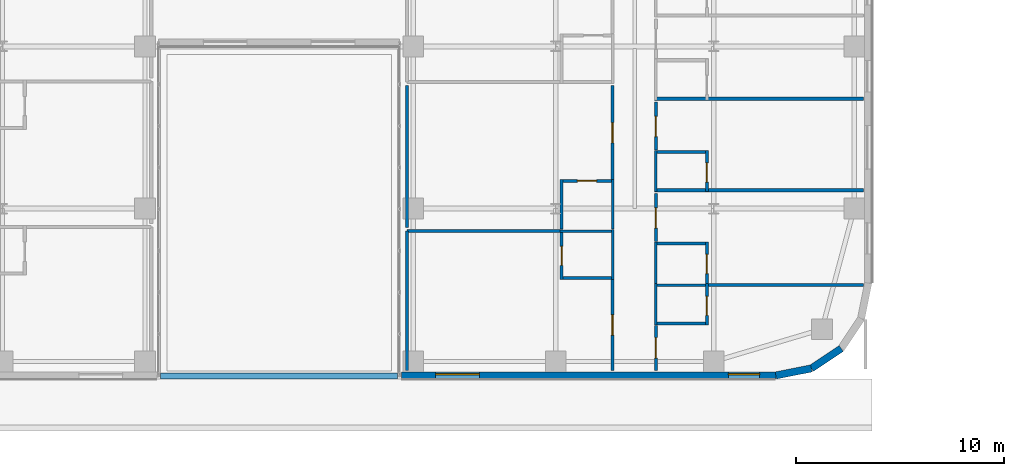
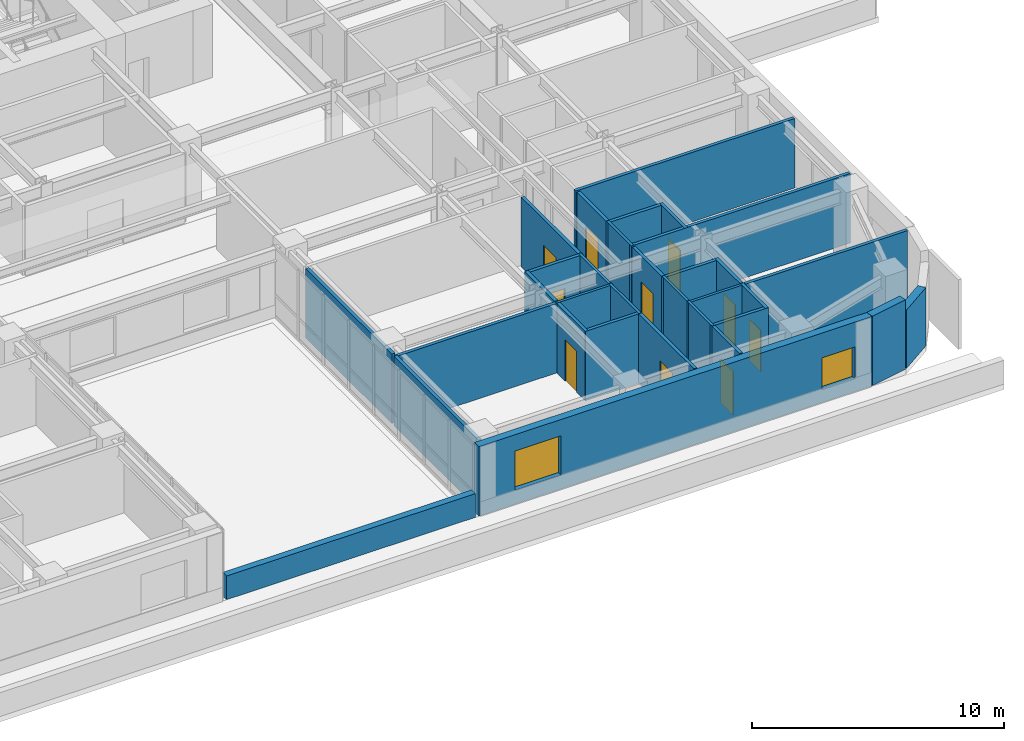
# One storey, part 15 of 25: 32 walls, 10 doors, 2 windows, 12 openings.
"""IFC4 building model written with IfcOpenShell, lengths in metres."""

from ifc_helpers import new_model, si_unit, direction, frame, frame_2d, origin, place, context, subcontext, project, spatial, rectangle, extrude, source, transform, mapped, material, layer, layer_set, type_object, type_shapes, element, fill, save


model = new_model("IFC4")

# Units and contexts
model_context = context("Model", 3, precision=1e-05, world=origin(), true_north=direction((0.0, 1.0)))
body_context = subcontext(model_context, "Body", "Model", "MODEL_VIEW")
ifc_project = project(units=[si_unit("LENGTHUNIT", "METRE"), si_unit("AREAUNIT", "SQUARE_METRE"), si_unit("VOLUMEUNIT", "CUBIC_METRE"), si_unit("PLANEANGLEUNIT", "RADIAN"), si_unit("MASSUNIT", "GRAM", prefix="KILO")], contexts=[model_context])

# Site, building, storey
site_placement = place(None, origin())
site = spatial("IfcSite", under=ifc_project, at=site_placement, CompositionType="ELEMENT")
building_placement = place(site_placement, origin())
building = spatial("IfcBuilding", under=site, at=building_placement, Name="Tolvann Quenvar Hotel", CompositionType="ELEMENT")
storey_placement = place(building_placement, frame((0.0, 0.0, 32.0)))
storey = spatial("IfcBuildingStorey", under=building, at=storey_placement, Name="L06", CompositionType="ELEMENT", Elevation=32.0)

# Wall, openings, windows
ifc_material_1 = material(Name="Kiln-fired red and buff architectural clay brickwork and terracotta masonry", Category="masonry")
ifc_layer_1 = layer(ifc_material_1, 0.35009765625)
ifc_layer_set_1 = layer_set([ifc_layer_1], Name="Kiln-fired red and buff architectural clay brickwork and terracotta masonry")
wall_type_1 = type_object("IfcWallType", Name="WALL_EXT_BRICK_350", PredefinedType="SOLIDWALL", material=ifc_layer_set_1)
wall_1_placement = place(storey_placement, frame((34.375, 0.175048828125, 0.0), z_axis=(0.0, 0.0, 1.0), x_axis=(1.0, 0.0, 0.0)))
wall_1 = element("IfcWall", 1, at=wall_1_placement, inside=storey, type_object=wall_type_1, Name="Exterior Chicago Brick Wall L06-E08", PredefinedType="SOLIDWALL", context=body_context, shape_type="SweptSolid", body=[
    extrude(rectangle(XDim=18.0078125, YDim=0.35009765625, at=frame_2d((9.00390625, 0.0))), origin(), (0.0, 0.0, 1.0), 3.3701171875),
])
opening_1_placement = place(wall_1_placement, frame((1.65087890625, 0.0, 0.679931640625)))
opening_1 = element("IfcOpeningElement", 2, at=opening_1_placement, cuts=wall_1, Name="Opening W-02", PredefinedType="OPENING", context=body_context, shape_type="SweptSolid", body=[
    extrude(rectangle(XDim=2.10009765625, YDim=1.89990234375, at=frame_2d((1.050048828125, 0.949951171875))), frame((0.0, 0.18505859375, 0.0), z_axis=(0.0, -1.0, 0.0), x_axis=(1.0, 0.0, 0.0)), (0.0, 0.0, 1.0), 0.3701171875),
])
opening_2_placement = place(wall_1_placement, frame((15.72509765625, 0.0, 0.6201171875)))
opening_2 = element("IfcOpeningElement", 3, at=opening_2_placement, cuts=wall_1, Name="Opening W-08", PredefinedType="OPENING", context=body_context, shape_type="SweptSolid", body=[
    extrude(rectangle(XDim=1.5, YDim=1.550048828125, at=frame_2d((0.75, 0.77490234375))), frame((0.0, 0.18505859375, 0.0), z_axis=(0.0, -1.0, 0.0), x_axis=(1.0, 0.0, 0.0)), (0.0, 0.0, 1.0), 0.3701171875),
])
ifc_material_2 = material(Name="Thermally broken bronze-anodised aluminium frame with double low-E glazing", Category="aluminium")
window_type_1 = type_object("IfcWindowType", Name="WIN_COR_1500x2050", PartitioningType="SINGLE_PANEL", PredefinedType="WINDOW", material=ifc_material_2)
shared_shape_1 = source(origin(), body_context, "Body", "SweptSolid", [
    extrude(rectangle(XDim=1.5, YDim=1.550048828125, at=frame_2d((0.75, 0.77490234375))), frame((0.0, 0.090087890625, 0.0), z_axis=(0.0, -1.0, 0.0), x_axis=(1.0, 0.0, 0.0)), (0.0, 0.0, 1.0), 0.06005859375),
])
type_shapes(window_type_1, [shared_shape_1])
window_1_placement = place(opening_2_placement, origin())
window_1 = element("IfcWindow", 4, at=window_1_placement, inside=storey, type_object=window_type_1, Name="Chicago Window W-08 (EW-L06-E08-WD02)", OverallHeight=1.550048828125, OverallWidth=1.5, PartitioningType="SINGLE_PANEL", PredefinedType="WINDOW", context=body_context, shape_type="MappedRepresentation", body=[
    mapped(shared_shape_1, transform((0.0, 0.0, 0.0), x_axis=(1.0, 0.0, 0.0), y_axis=(0.0, 1.0, 0.0), z_axis=(0.0, 0.0, 1.0), scale=1.0)),
])
fill(opening_2, window_1)
window_type_2 = type_object("IfcWindowType", Name="WIN_CHI_2100x2050", PartitioningType="TRIPLE_PANEL_HORIZONTAL", PredefinedType="WINDOW", material=ifc_material_2)
shared_shape_2 = source(origin(), body_context, "Body", "SweptSolid", [
    extrude(rectangle(XDim=2.10009765625, YDim=1.89990234375, at=frame_2d((1.050048828125, 0.949951171875))), frame((0.0, 0.090087890625, 0.0), z_axis=(0.0, -1.0, 0.0), x_axis=(1.0, 0.0, 0.0)), (0.0, 0.0, 1.0), 0.06005859375),
])
type_shapes(window_type_2, [shared_shape_2])
window_2_placement = place(opening_1_placement, origin())
window_2 = element("IfcWindow", 5, at=window_2_placement, inside=storey, type_object=window_type_2, Name="Chicago Window W-02 (EW-L06-E08-W01)", OverallHeight=1.89990234375, OverallWidth=2.10009765625, PartitioningType="TRIPLE_PANEL_HORIZONTAL", PredefinedType="WINDOW", context=body_context, shape_type="MappedRepresentation", body=[
    mapped(shared_shape_2, transform((0.0, 0.0, 0.0), x_axis=(1.0, 0.0, 0.0), y_axis=(0.0, 1.0, 0.0), z_axis=(0.0, 0.0, 1.0), scale=1.0)),
])
fill(opening_1, window_2)

# Walls
wall_2_placement = place(storey_placement, frame((52.3828125, 0.175048828125, 0.0), z_axis=(0.0, 0.0, 1.0), x_axis=(0.980800971659, 0.195011420161, 0.0)))
element("IfcWall", 6, at=wall_2_placement, inside=storey, type_object=wall_type_1, Name="Exterior Chicago Brick Wall L06-E09", PredefinedType="SOLIDWALL", context=body_context, shape_type="SweptSolid", body=[
    extrude(rectangle(XDim=1.74267578125, YDim=0.35009765625, at=frame_2d((0.871337890625, 0.0))), origin(), (0.0, 0.0, 1.0), 3.3701171875),
])
wall_3_placement = place(storey_placement, frame((54.092041015625, 0.514892578125, 0.0), z_axis=(0.0, 0.0, 1.0), x_axis=(0.831483840845, 0.55554893791, 0.0)))
element("IfcWall", 7, at=wall_3_placement, inside=storey, type_object=wall_type_1, Name="Exterior Chicago Brick Wall L06-E10", PredefinedType="SOLIDWALL", context=body_context, shape_type="SweptSolid", body=[
    extrude(rectangle(XDim=1.725341796875, YDim=0.35009765625, at=frame_2d((0.86279296875, 0.0))), origin(), (0.0, 0.0, 1.0), 2.83203125),
])
ifc_layer_2 = layer(ifc_material_1, 0.300048828125)
ifc_layer_set_2 = layer_set([ifc_layer_2], Name="Kiln-fired red and buff architectural clay brickwork and terracotta masonry")
wall_type_2 = type_object("IfcWallType", Name="WALL_PARAPET_300", PredefinedType="PARAPET", material=ifc_layer_set_2)
wall_4_placement = place(storey_placement, frame((22.800048828125, 0.14990234375, 0.0), z_axis=(0.0, 0.0, 1.0), x_axis=(1.0, 0.0, 0.0)))
element("IfcWall", 8, at=wall_4_placement, inside=storey, type_object=wall_type_2, Name="Podium Roof Parapet POD-SLOT-S", PredefinedType="PARAPET", context=body_context, shape_type="SweptSolid", body=[
    extrude(rectangle(XDim=11.39990234375, YDim=0.300048828125, at=frame_2d((5.699951171875, 0.0))), origin(), (0.0, 0.0, 1.0), 1.14990234375),
])
ifc_material_3 = material(Name="Moisture-resistant acoustic plumbing wall assembly")
ifc_layer_3 = layer(ifc_material_3, 0.1201171875)
ifc_layer_set_3 = layer_set([ifc_layer_3], Name="Moisture-resistant acoustic plumbing wall assembly")
wall_type_3 = type_object("IfcWallType", Name="WALL_PART_BATH_120", PredefinedType="PLUMBINGWALL", material=ifc_layer_set_3)
wall_5_placement = place(storey_placement, frame((42.010009765625, 7.1201171875, 0.0), z_axis=(0.0, 0.0, 1.0), x_axis=(1.0, 0.0, 0.0)))
element("IfcWall", 9, at=wall_5_placement, inside=storey, type_object=wall_type_3, Name="Non-Rated Plumbing Partition PT-SPC-L06-ENS-EI01-N", PredefinedType="PLUMBINGWALL", context=body_context, shape_type="SweptSolid", body=[
    extrude(rectangle(XDim=2.590087890625, YDim=0.1201171875, at=frame_2d((1.294921875, 0.0))), origin(), (0.0, 0.0, 1.0), 3.3701171875),
])
wall_6_placement = place(storey_placement, frame((44.530029296875, 4.800048828125, 0.0), z_axis=(0.0, 0.0, 1.0), x_axis=(0.0, 1.0, 0.0)))
element("IfcWall", 10, at=wall_6_placement, inside=storey, type_object=wall_type_3, Name="Non-Rated Plumbing Partition PT-SPC-L06-ENS-EI01-E", PredefinedType="PLUMBINGWALL", context=body_context, shape_type="SweptSolid", body=[
    extrude(rectangle(XDim=2.389892578125, YDim=0.1201171875, at=frame_2d((1.19482421875, 0.0))), origin(), (0.0, 0.0, 1.0), 3.3701171875),
])
wall_7_placement = place(storey_placement, frame((44.530029296875, 7.2099609375, 0.0), z_axis=(0.0, 0.0, 1.0), x_axis=(0.0, 1.0, 0.0)))
element("IfcWall", 11, at=wall_7_placement, inside=storey, type_object=wall_type_3, Name="Non-Rated Plumbing Partition PT-SPC-L06-ENS-EI02-E", PredefinedType="PLUMBINGWALL", context=body_context, shape_type="SweptSolid", body=[
    extrude(rectangle(XDim=2.39013671875, YDim=0.1201171875, at=frame_2d((1.195068359375, 0.0))), origin(), (0.0, 0.0, 1.0), 3.3701171875),
])
wall_8_placement = place(storey_placement, frame((46.550048828125, 4.52001953125, 0.0), z_axis=(0.0, 0.0, 1.0), x_axis=(1.0, 0.0, 0.0)))
element("IfcWall", 12, at=wall_8_placement, inside=storey, type_object=wall_type_3, Name="Non-Rated Plumbing Partition PT-SPC-L06-ENS-EO01-N", PredefinedType="PLUMBINGWALL", context=body_context, shape_type="SweptSolid", body=[
    extrude(rectangle(XDim=2.58984375, YDim=0.1201171875, at=frame_2d((1.294921875, 0.0))), origin(), (0.0, 0.0, 1.0), 3.3701171875),
])
for number, where, z_axis, x_axis, name in (
    (13, (46.6201171875, 2.60009765625, 0.0), (0.0, 0.0, 1.0), (0.0, 1.0, 0.0), "Non-Rated Plumbing Partition PT-SPC-L06-ENS-EO01-W"),
    (14, (46.6201171875, 4.610107421875, 0.0), (0.0, 0.0, 1.0), (0.0, 1.0, 0.0), "Non-Rated Plumbing Partition PT-SPC-L06-ENS-EO02-W"),
    (15, (46.6201171875, 9.010009765625, 0.0), (0.0, 0.0, 1.0), (0.0, 1.0, 0.0), "Non-Rated Plumbing Partition PT-SPC-L06-ENS-EO03-W"),
):
    element("IfcWall", number, at=place(storey_placement, frame(where, z_axis=z_axis, x_axis=x_axis)), inside=storey, type_object=wall_type_3, Name=name, PredefinedType="PLUMBINGWALL", context=body_context, shape_type="SweptSolid", body=[
        extrude(rectangle(XDim=1.989990234375, YDim=0.1201171875, at=frame_2d((0.9951171875, 0.0))), origin(), (0.0, 0.0, 1.0), 3.3701171875),
    ])

# Wall, opening, door
ifc_material_4 = material(Name="Acoustic twin-stud fire-rated gypsum plasterboard partition")
ifc_layer_4 = layer(ifc_material_4, 0.14990234375)
ifc_layer_set_4 = layer_set([ifc_layer_4], Name="Acoustic twin-stud fire-rated gypsum plasterboard partition")
wall_type_4 = type_object("IfcWallType", Name="WALL_PART_SUITE_150", PredefinedType="PARTITIONING", material=ifc_layer_set_4)
wall_9_placement = place(storey_placement, frame((42.080078125, 4.800048828125, 0.0), z_axis=(0.0, 0.0, 1.0), x_axis=(0.0, 1.0, 0.0)))
wall_9 = element("IfcWall", 16, at=wall_9_placement, inside=storey, type_object=wall_type_4, Name="Interior Partition PT-SPC-L06-ENS-EI01-ENT", PredefinedType="PARTITIONING", context=body_context, shape_type="SweptSolid", body=[
    extrude(rectangle(XDim=2.389892578125, YDim=0.14990234375, at=frame_2d((1.19482421875, 0.0))), origin(), (0.0, 0.0, 1.0), 3.3701171875),
])
opening_3_placement = place(wall_9_placement, frame((0.6650390625, 0.0, 0.0)))
opening_3 = element("IfcOpeningElement", 17, at=opening_3_placement, cuts=wall_9, Name="Opening WD-01", PredefinedType="OPENING", context=body_context, shape_type="SweptSolid", body=[
    extrude(rectangle(XDim=0.919921875, YDim=2.010009765625, at=frame_2d((0.4599609375, 1.0048828125))), frame((0.0, 0.0849609375, 0.0), z_axis=(0.0, -1.0, 0.0), x_axis=(1.0, 0.0, 0.0)), (0.0, 0.0, 1.0), 0.169921875),
])
ifc_material_5 = material(Name="Solid-core American oak acoustic fire door leaf in steel frame", Category="steel")
door_type_1 = type_object("IfcDoorType", Name="DOOR_WC_920", OperationType="NOTDEFINED", PredefinedType="DOOR", material=ifc_material_5)
shared_shape_3 = source(origin(), body_context, "Body", "SweptSolid", [
    extrude(rectangle(XDim=0.919921875, YDim=2.010009765625, at=frame_2d((0.4599609375, 1.0048828125))), frame((0.0, 0.02490234375, 0.0), z_axis=(0.0, -1.0, 0.0), x_axis=(1.0, 0.0, 0.0)), (0.0, 0.0, 1.0), 0.050048828125),
])
type_shapes(door_type_1, [shared_shape_3])
door_1_placement = place(opening_3_placement, origin())
door_1 = element("IfcDoor", 18, at=door_1_placement, inside=storey, type_object=door_type_1, Name="Interior Door DOOR-SPC-L06-ENS-EI01", OperationType="SINGLE_SWING_RIGHT", OverallHeight=2.010009765625, OverallWidth=0.919921875, PredefinedType="DOOR", context=body_context, shape_type="MappedRepresentation", body=[
    mapped(shared_shape_3, transform((0.0, 0.0, 0.0), x_axis=(1.0, 0.0, 0.0), y_axis=(0.0, 1.0, 0.0), z_axis=(0.0, 0.0, 1.0), scale=1.0)),
])
fill(opening_3, door_1)

# Walls
wall_10_placement = place(storey_placement, frame((42.010009765625, 4.8701171875, 0.0), z_axis=(0.0, 0.0, 1.0), x_axis=(1.0, 0.0, 0.0)))
element("IfcWall", 19, at=wall_10_placement, inside=storey, type_object=wall_type_4, Name="Interior Partition PT-SPC-L06-ENS-EI01-S", PredefinedType="PARTITIONING", context=body_context, shape_type="SweptSolid", body=[
    extrude(rectangle(XDim=2.590087890625, YDim=0.14990234375, at=frame_2d((1.294921875, 0.0))), origin(), (0.0, 0.0, 1.0), 3.3701171875),
])
wall_11_placement = place(storey_placement, frame((42.080078125, 7.2099609375, 0.0), z_axis=(0.0, 0.0, 1.0), x_axis=(0.0, 1.0, 0.0)))
element("IfcWall", 20, at=wall_11_placement, inside=storey, type_object=wall_type_4, Name="Interior Partition PT-SPC-L06-ENS-EI02-ENT", PredefinedType="PARTITIONING", context=body_context, shape_type="SweptSolid", body=[
    extrude(rectangle(XDim=2.39013671875, YDim=0.14990234375, at=frame_2d((1.195068359375, 0.0))), origin(), (0.0, 0.0, 1.0), 3.3701171875),
])

# Wall, opening, door
wall_12_placement = place(storey_placement, frame((42.010009765625, 9.530029296875, 0.0), z_axis=(0.0, 0.0, 1.0), x_axis=(1.0, 0.0, 0.0)))
wall_12 = element("IfcWall", 21, at=wall_12_placement, inside=storey, type_object=wall_type_4, Name="Interior Partition PT-SPC-L06-ENS-EI02-N", PredefinedType="PARTITIONING", context=body_context, shape_type="SweptSolid", body=[
    extrude(rectangle(XDim=2.590087890625, YDim=0.14990234375, at=frame_2d((1.294921875, 0.0))), origin(), (0.0, 0.0, 1.0), 3.3701171875),
])
opening_4_placement = place(wall_12_placement, frame((0.8349609375, 0.0, 0.0)))
opening_4 = element("IfcOpeningElement", 22, at=opening_4_placement, cuts=wall_12, Name="Opening WD-01", PredefinedType="OPENING", context=body_context, shape_type="SweptSolid", body=[
    extrude(rectangle(XDim=0.919921875, YDim=2.010009765625, at=frame_2d((0.4599609375, 1.0048828125))), frame((0.0, 0.0849609375, 0.0), z_axis=(0.0, -1.0, 0.0), x_axis=(1.0, 0.0, 0.0)), (0.0, 0.0, 1.0), 0.169921875),
])
door_2_placement = place(opening_4_placement, origin())
door_2 = element("IfcDoor", 23, at=door_2_placement, inside=storey, type_object=door_type_1, Name="Interior Door DOOR-SPC-L06-ENS-EI02", OperationType="SINGLE_SWING_LEFT", OverallHeight=2.010009765625, OverallWidth=0.919921875, PredefinedType="DOOR", context=body_context, shape_type="MappedRepresentation", body=[
    mapped(shared_shape_3, transform((0.0, 0.0, 0.0), x_axis=(1.0, 0.0, 0.0), y_axis=(0.0, 1.0, 0.0), z_axis=(0.0, 0.0, 1.0), scale=1.0)),
])
fill(opening_4, door_2)

wall_13_placement = place(storey_placement, frame((49.070068359375, 2.60009765625, 0.0), z_axis=(0.0, 0.0, 1.0), x_axis=(0.0, 1.0, 0.0)))
wall_13 = element("IfcWall", 24, at=wall_13_placement, inside=storey, type_object=wall_type_4, Name="Interior Partition PT-SPC-L06-ENS-EO01-ENT", PredefinedType="PARTITIONING", context=body_context, shape_type="SweptSolid", body=[
    extrude(rectangle(XDim=1.989990234375, YDim=0.14990234375, at=frame_2d((0.9951171875, 0.0))), origin(), (0.0, 0.0, 1.0), 3.3701171875),
])
opening_5_placement = place(wall_13_placement, frame((0.465087890625, 0.0, 0.0)))
opening_5 = element("IfcOpeningElement", 25, at=opening_5_placement, cuts=wall_13, Name="Opening WD-01", PredefinedType="OPENING", context=body_context, shape_type="SweptSolid", body=[
    extrude(rectangle(XDim=0.919921875, YDim=2.010009765625, at=frame_2d((0.4599609375, 1.0048828125))), frame((0.0, 0.0849609375, 0.0), z_axis=(0.0, -1.0, 0.0), x_axis=(1.0, 0.0, 0.0)), (0.0, 0.0, 1.0), 0.169921875),
])
door_3_placement = place(opening_5_placement, origin())
door_3 = element("IfcDoor", 26, at=door_3_placement, inside=storey, type_object=door_type_1, Name="Interior Door DOOR-SPC-L06-ENS-EO01", OperationType="SINGLE_SWING_LEFT", OverallHeight=2.010009765625, OverallWidth=0.919921875, PredefinedType="DOOR", context=body_context, shape_type="MappedRepresentation", body=[
    mapped(shared_shape_3, transform((0.0, 0.0, 0.0), x_axis=(1.0, 0.0, 0.0), y_axis=(0.0, 1.0, 0.0), z_axis=(0.0, 0.0, 1.0), scale=1.0)),
])
fill(opening_5, door_3)

# Wall
wall_14_placement = place(storey_placement, frame((46.550048828125, 2.669921875, 0.0), z_axis=(0.0, 0.0, 1.0), x_axis=(1.0, 0.0, 0.0)))
element("IfcWall", 27, at=wall_14_placement, inside=storey, type_object=wall_type_4, Name="Interior Partition PT-SPC-L06-ENS-EO01-S", PredefinedType="PARTITIONING", context=body_context, shape_type="SweptSolid", body=[
    extrude(rectangle(XDim=2.58984375, YDim=0.14990234375, at=frame_2d((1.294921875, 0.0))), origin(), (0.0, 0.0, 1.0), 3.3701171875),
])

# Wall, opening, door
wall_15_placement = place(storey_placement, frame((49.070068359375, 4.610107421875, 0.0), z_axis=(0.0, 0.0, 1.0), x_axis=(0.0, 1.0, 0.0)))
wall_15 = element("IfcWall", 28, at=wall_15_placement, inside=storey, type_object=wall_type_4, Name="Interior Partition PT-SPC-L06-ENS-EO02-ENT", PredefinedType="PARTITIONING", context=body_context, shape_type="SweptSolid", body=[
    extrude(rectangle(XDim=1.989990234375, YDim=0.14990234375, at=frame_2d((0.9951171875, 0.0))), origin(), (0.0, 0.0, 1.0), 3.3701171875),
])
opening_6_placement = place(wall_15_placement, frame((0.465087890625, 0.0, 0.0)))
opening_6 = element("IfcOpeningElement", 29, at=opening_6_placement, cuts=wall_15, Name="Opening WD-01", PredefinedType="OPENING", context=body_context, shape_type="SweptSolid", body=[
    extrude(rectangle(XDim=0.919921875, YDim=2.010009765625, at=frame_2d((0.4599609375, 1.0048828125))), frame((0.0, 0.0849609375, 0.0), z_axis=(0.0, -1.0, 0.0), x_axis=(1.0, 0.0, 0.0)), (0.0, 0.0, 1.0), 0.169921875),
])
door_4_placement = place(opening_6_placement, origin())
door_4 = element("IfcDoor", 30, at=door_4_placement, inside=storey, type_object=door_type_1, Name="Interior Door DOOR-SPC-L06-ENS-EO02", OperationType="SINGLE_SWING_RIGHT", OverallHeight=2.010009765625, OverallWidth=0.919921875, PredefinedType="DOOR", context=body_context, shape_type="MappedRepresentation", body=[
    mapped(shared_shape_3, transform((0.0, 0.0, 0.0), x_axis=(1.0, 0.0, 0.0), y_axis=(0.0, 1.0, 0.0), z_axis=(0.0, 0.0, 1.0), scale=1.0)),
])
fill(opening_6, door_4)

# Wall
wall_16_placement = place(storey_placement, frame((46.550048828125, 6.530029296875, 0.0), z_axis=(0.0, 0.0, 1.0), x_axis=(1.0, 0.0, 0.0)))
element("IfcWall", 31, at=wall_16_placement, inside=storey, type_object=wall_type_4, Name="Interior Partition PT-SPC-L06-ENS-EO02-N", PredefinedType="PARTITIONING", context=body_context, shape_type="SweptSolid", body=[
    extrude(rectangle(XDim=2.58984375, YDim=0.14990234375, at=frame_2d((1.294921875, 0.0))), origin(), (0.0, 0.0, 1.0), 3.3701171875),
])

# Wall, opening, door
wall_17_placement = place(storey_placement, frame((49.070068359375, 9.010009765625, 0.0), z_axis=(0.0, 0.0, 1.0), x_axis=(0.0, 1.0, 0.0)))
wall_17 = element("IfcWall", 32, at=wall_17_placement, inside=storey, type_object=wall_type_4, Name="Interior Partition PT-SPC-L06-ENS-EO03-ENT", PredefinedType="PARTITIONING", context=body_context, shape_type="SweptSolid", body=[
    extrude(rectangle(XDim=1.989990234375, YDim=0.14990234375, at=frame_2d((0.9951171875, 0.0))), origin(), (0.0, 0.0, 1.0), 3.3701171875),
])
opening_7_placement = place(wall_17_placement, frame((0.465087890625, 0.0, 0.0)))
opening_7 = element("IfcOpeningElement", 33, at=opening_7_placement, cuts=wall_17, Name="Opening WD-01", PredefinedType="OPENING", context=body_context, shape_type="SweptSolid", body=[
    extrude(rectangle(XDim=0.919921875, YDim=2.010009765625, at=frame_2d((0.4599609375, 1.0048828125))), frame((0.0, 0.0849609375, 0.0), z_axis=(0.0, -1.0, 0.0), x_axis=(1.0, 0.0, 0.0)), (0.0, 0.0, 1.0), 0.169921875),
])
door_5_placement = place(opening_7_placement, origin())
door_5 = element("IfcDoor", 34, at=door_5_placement, inside=storey, type_object=door_type_1, Name="Interior Door DOOR-SPC-L06-ENS-EO03", OperationType="SINGLE_SWING_LEFT", OverallHeight=2.010009765625, OverallWidth=0.919921875, PredefinedType="DOOR", context=body_context, shape_type="MappedRepresentation", body=[
    mapped(shared_shape_3, transform((0.0, 0.0, 0.0), x_axis=(1.0, 0.0, 0.0), y_axis=(0.0, 1.0, 0.0), z_axis=(0.0, 0.0, 1.0), scale=1.0)),
])
fill(opening_7, door_5)

# Walls
wall_18_placement = place(storey_placement, frame((46.550048828125, 9.080078125, 0.0), z_axis=(0.0, 0.0, 1.0), x_axis=(1.0, 0.0, 0.0)))
element("IfcWall", 35, at=wall_18_placement, inside=storey, type_object=wall_type_4, Name="Interior Partition PT-SPC-L06-ENS-EO03-S", PredefinedType="PARTITIONING", context=body_context, shape_type="SweptSolid", body=[
    extrude(rectangle(XDim=10.044921875, YDim=0.14990234375, at=frame_2d((5.0224609375, 0.0))), origin(), (0.0, 0.0, 1.0), 3.3701171875),
])
wall_19_placement = place(storey_placement, frame((46.550048828125, 10.929931640625, 0.0), z_axis=(0.0, 0.0, 1.0), x_axis=(1.0, 0.0, 0.0)))
element("IfcWall", 36, at=wall_19_placement, inside=storey, type_object=wall_type_4, Name="Interior Partition PT-SPC-L06-ENS-EO03-N", PredefinedType="PARTITIONING", context=body_context, shape_type="SweptSolid", body=[
    extrude(rectangle(XDim=2.58984375, YDim=0.14990234375, at=frame_2d((1.294921875, 0.0))), origin(), (0.0, 0.0, 1.0), 3.3701171875),
])
wall_20_placement = place(storey_placement, frame((46.550048828125, 13.47998046875, 0.0), z_axis=(0.0, 0.0, 1.0), x_axis=(1.0, 0.0, 0.0)))
element("IfcWall", 37, at=wall_20_placement, inside=storey, type_object=wall_type_4, Name="Interior Partition PT-SPC-L06-ENS-EO04-S", PredefinedType="PARTITIONING", context=body_context, shape_type="SweptSolid", body=[
    extrude(rectangle(XDim=10.044921875, YDim=0.14990234375, at=frame_2d((5.0224609375, 0.0))), origin(), (0.0, 0.0, 1.0), 3.3701171875),
])

# Wall, opening, door
wall_21_placement = place(storey_placement, frame((44.530029296875, 0.405029296875, 0.0), z_axis=(0.0, 0.0, 1.0), x_axis=(0.0, 1.0, 0.0)))
wall_21 = element("IfcWall", 38, at=wall_21_placement, inside=storey, type_object=wall_type_4, Name="Interior Partition PT-SPC-L06-RM-EI01-ENT", PredefinedType="PARTITIONING", context=body_context, shape_type="SweptSolid", body=[
    extrude(rectangle(XDim=4.385009765625, YDim=0.14990234375, at=frame_2d((2.1923828125, 0.0))), origin(), (0.0, 0.0, 1.0), 3.3701171875),
])
opening_8_placement = place(wall_21_placement, frame((1.7099609375, 0.0, 0.0)))
opening_8 = element("IfcOpeningElement", 39, at=opening_8_placement, cuts=wall_21, Name="Opening SD-01", PredefinedType="OPENING", context=body_context, shape_type="SweptSolid", body=[
    extrude(rectangle(XDim=0.97998046875, YDim=2.1201171875, at=frame_2d((0.489990234375, 1.06005859375))), frame((0.0, 0.0849609375, 0.0), z_axis=(0.0, -1.0, 0.0), x_axis=(1.0, 0.0, 0.0)), (0.0, 0.0, 1.0), 0.169921875),
])
door_type_2 = type_object("IfcDoorType", Name="DOOR_SUITE_980", OperationType="NOTDEFINED", PredefinedType="DOOR", material=ifc_material_5)
shared_shape_4 = source(origin(), body_context, "Body", "SweptSolid", [
    extrude(rectangle(XDim=0.97998046875, YDim=2.1201171875, at=frame_2d((0.489990234375, 1.06005859375))), frame((0.0, 0.02490234375, 0.0), z_axis=(0.0, -1.0, 0.0), x_axis=(1.0, 0.0, 0.0)), (0.0, 0.0, 1.0), 0.050048828125),
])
type_shapes(door_type_2, [shared_shape_4])
door_6_placement = place(opening_8_placement, origin())
door_6 = element("IfcDoor", 40, at=door_6_placement, inside=storey, type_object=door_type_2, Name="Interior Door DOOR-SPC-L06-RM-EI01", OperationType="SINGLE_SWING_RIGHT", OverallHeight=2.1201171875, OverallWidth=0.97998046875, PredefinedType="DOOR", context=body_context, shape_type="MappedRepresentation", body=[
    mapped(shared_shape_4, transform((0.0, 0.0, 0.0), x_axis=(1.0, 0.0, 0.0), y_axis=(0.0, 1.0, 0.0), z_axis=(0.0, 0.0, 1.0), scale=1.0)),
])
fill(opening_8, door_6)

# Walls
wall_22_placement = place(storey_placement, frame((34.64990234375, 7.1201171875, 0.0), z_axis=(0.0, 0.0, 1.0), x_axis=(1.0, 0.0, 0.0)))
element("IfcWall", 41, at=wall_22_placement, inside=storey, type_object=wall_type_4, Name="Interior Partition PT-SPC-L06-RM-EI01-E5", PredefinedType="PARTITIONING", context=body_context, shape_type="SweptSolid", body=[
    extrude(rectangle(XDim=7.41015625, YDim=0.14990234375, at=frame_2d((3.705078125, 0.0))), origin(), (0.0, 0.0, 1.0), 3.3701171875),
])
wall_23_placement = place(storey_placement, frame((34.64990234375, 0.405029296875, 0.0), z_axis=(0.0, 0.0, 1.0), x_axis=(0.0, 1.0, 0.0)))
element("IfcWall", 42, at=wall_23_placement, inside=storey, type_object=wall_type_4, Name="Interior Partition PT-SPC-L06-RM-EI01-E6", PredefinedType="PARTITIONING", context=body_context, shape_type="SweptSolid", body=[
    extrude(rectangle(XDim=6.715087890625, YDim=0.14990234375, at=frame_2d((3.357421875, 0.0))), origin(), (0.0, 0.0, 1.0), 3.3701171875),
])

# Wall, opening, door
wall_24_placement = place(storey_placement, frame((44.530029296875, 9.610107421875, 0.0), z_axis=(0.0, 0.0, 1.0), x_axis=(0.0, 1.0, 0.0)))
wall_24 = element("IfcWall", 43, at=wall_24_placement, inside=storey, type_object=wall_type_4, Name="Interior Partition PT-SPC-L06-RM-EI02-ENT", PredefinedType="PARTITIONING", context=body_context, shape_type="SweptSolid", body=[
    extrude(rectangle(XDim=4.510009765625, YDim=0.14990234375, at=frame_2d((2.2548828125, 0.0))), origin(), (0.0, 0.0, 1.0), 3.3701171875),
])
opening_9_placement = place(wall_24_placement, frame((1.7451171875, 0.0, 0.0)))
opening_9 = element("IfcOpeningElement", 44, at=opening_9_placement, cuts=wall_24, Name="Opening SD-01", PredefinedType="OPENING", context=body_context, shape_type="SweptSolid", body=[
    extrude(rectangle(XDim=0.97998046875, YDim=2.1201171875, at=frame_2d((0.489990234375, 1.06005859375))), frame((0.0, 0.0849609375, 0.0), z_axis=(0.0, -1.0, 0.0), x_axis=(1.0, 0.0, 0.0)), (0.0, 0.0, 1.0), 0.169921875),
])
door_7_placement = place(opening_9_placement, origin())
door_7 = element("IfcDoor", 45, at=door_7_placement, inside=storey, type_object=door_type_2, Name="Interior Door DOOR-SPC-L06-RM-EI02", OperationType="SINGLE_SWING_LEFT", OverallHeight=2.1201171875, OverallWidth=0.97998046875, PredefinedType="DOOR", context=body_context, shape_type="MappedRepresentation", body=[
    mapped(shared_shape_4, transform((0.0, 0.0, 0.0), x_axis=(1.0, 0.0, 0.0), y_axis=(0.0, 1.0, 0.0), z_axis=(0.0, 0.0, 1.0), scale=1.0)),
])
fill(opening_9, door_7)

# Wall
wall_25_placement = place(storey_placement, frame((34.64990234375, 7.280029296875, 0.0), z_axis=(0.0, 0.0, 1.0), x_axis=(0.0, 1.0, 0.0)))
element("IfcWall", 46, at=wall_25_placement, inside=storey, type_object=wall_type_4, Name="Interior Partition PT-SPC-L06-RM-EI02-E6", PredefinedType="PARTITIONING", context=body_context, shape_type="SweptSolid", body=[
    extrude(rectangle(XDim=6.840087890625, YDim=0.14990234375, at=frame_2d((3.419921875, 0.0))), origin(), (0.0, 0.0, 1.0), 3.3701171875),
])

# Wall, opening, door
wall_26_placement = place(storey_placement, frame((46.6201171875, 0.405029296875, 0.0), z_axis=(0.0, 0.0, 1.0), x_axis=(0.0, 1.0, 0.0)))
wall_26 = element("IfcWall", 47, at=wall_26_placement, inside=storey, type_object=wall_type_4, Name="Interior Partition PT-SPC-L06-RM-EO01-ENT", PredefinedType="PARTITIONING", context=body_context, shape_type="SweptSolid", body=[
    extrude(rectangle(XDim=2.18505859375, YDim=0.14990234375, at=frame_2d((1.092529296875, 0.0))), origin(), (0.0, 0.0, 1.0), 3.3701171875),
])
opening_10_placement = place(wall_26_placement, frame((0.610107421875, 0.0, 0.0)))
opening_10 = element("IfcOpeningElement", 48, at=opening_10_placement, cuts=wall_26, Name="Opening SD-01", PredefinedType="OPENING", context=body_context, shape_type="SweptSolid", body=[
    extrude(rectangle(XDim=0.97998046875, YDim=2.1201171875, at=frame_2d((0.489990234375, 1.06005859375))), frame((0.0, 0.0849609375, 0.0), z_axis=(0.0, -1.0, 0.0), x_axis=(1.0, 0.0, 0.0)), (0.0, 0.0, 1.0), 0.169921875),
])
door_8_placement = place(opening_10_placement, origin())
door_8 = element("IfcDoor", 49, at=door_8_placement, inside=storey, type_object=door_type_2, Name="Interior Door DOOR-SPC-L06-RM-EO01", OperationType="SINGLE_SWING_LEFT", OverallHeight=2.1201171875, OverallWidth=0.97998046875, PredefinedType="DOOR", context=body_context, shape_type="MappedRepresentation", body=[
    mapped(shared_shape_4, transform((0.0, 0.0, 0.0), x_axis=(1.0, 0.0, 0.0), y_axis=(0.0, 1.0, 0.0), z_axis=(0.0, 0.0, 1.0), scale=1.0)),
])
fill(opening_10, door_8)

# Wall
wall_27_placement = place(storey_placement, frame((49.14990234375, 4.52001953125, 0.0), z_axis=(0.0, 0.0, 1.0), x_axis=(1.0, 0.0, 0.0)))
element("IfcWall", 50, at=wall_27_placement, inside=storey, type_object=wall_type_4, Name="Interior Partition PT-SPC-L06-RM-EO01-E3", PredefinedType="PARTITIONING", context=body_context, shape_type="SweptSolid", body=[
    extrude(rectangle(XDim=7.445068359375, YDim=0.14990234375, at=frame_2d((3.72265625, 0.0))), origin(), (0.0, 0.0, 1.0), 3.3701171875),
])

# Wall, opening, door
wall_28_placement = place(storey_placement, frame((46.6201171875, 6.610107421875, 0.0), z_axis=(0.0, 0.0, 1.0), x_axis=(0.0, 1.0, 0.0)))
wall_28 = element("IfcWall", 51, at=wall_28_placement, inside=storey, type_object=wall_type_4, Name="Interior Partition PT-SPC-L06-RM-EO02-ENT", PredefinedType="PARTITIONING", context=body_context, shape_type="SweptSolid", body=[
    extrude(rectangle(XDim=2.309814453125, YDim=0.14990234375, at=frame_2d((1.15478515625, 0.0))), origin(), (0.0, 0.0, 1.0), 3.3701171875),
])
opening_11_placement = place(wall_28_placement, frame((0.64501953125, 0.0, 0.0)))
opening_11 = element("IfcOpeningElement", 52, at=opening_11_placement, cuts=wall_28, Name="Opening SD-01", PredefinedType="OPENING", context=body_context, shape_type="SweptSolid", body=[
    extrude(rectangle(XDim=0.97998046875, YDim=2.1201171875, at=frame_2d((0.489990234375, 1.06005859375))), frame((0.0, 0.0849609375, 0.0), z_axis=(0.0, -1.0, 0.0), x_axis=(1.0, 0.0, 0.0)), (0.0, 0.0, 1.0), 0.169921875),
])
door_9_placement = place(opening_11_placement, origin())
door_9 = element("IfcDoor", 53, at=door_9_placement, inside=storey, type_object=door_type_2, Name="Interior Door DOOR-SPC-L06-RM-EO02", OperationType="SINGLE_SWING_RIGHT", OverallHeight=2.1201171875, OverallWidth=0.97998046875, PredefinedType="DOOR", context=body_context, shape_type="MappedRepresentation", body=[
    mapped(shared_shape_4, transform((0.0, 0.0, 0.0), x_axis=(1.0, 0.0, 0.0), y_axis=(0.0, 1.0, 0.0), z_axis=(0.0, 0.0, 1.0), scale=1.0)),
])
fill(opening_11, door_9)

wall_29_placement = place(storey_placement, frame((46.6201171875, 11.010009765625, 0.0), z_axis=(0.0, 0.0, 1.0), x_axis=(0.0, 1.0, 0.0)))
wall_29 = element("IfcWall", 54, at=wall_29_placement, inside=storey, type_object=wall_type_4, Name="Interior Partition PT-SPC-L06-RM-EO03-ENT", PredefinedType="PARTITIONING", context=body_context, shape_type="SweptSolid", body=[
    extrude(rectangle(XDim=2.31005859375, YDim=0.14990234375, at=frame_2d((1.155029296875, 0.0))), origin(), (0.0, 0.0, 1.0), 3.3701171875),
])
opening_12_placement = place(wall_29_placement, frame((0.64501953125, 0.0, 0.0)))
opening_12 = element("IfcOpeningElement", 55, at=opening_12_placement, cuts=wall_29, Name="Opening SD-01", PredefinedType="OPENING", context=body_context, shape_type="SweptSolid", body=[
    extrude(rectangle(XDim=0.97998046875, YDim=2.1201171875, at=frame_2d((0.489990234375, 1.06005859375))), frame((0.0, 0.0849609375, 0.0), z_axis=(0.0, -1.0, 0.0), x_axis=(1.0, 0.0, 0.0)), (0.0, 0.0, 1.0), 0.169921875),
])
door_10_placement = place(opening_12_placement, origin())
door_10 = element("IfcDoor", 56, at=door_10_placement, inside=storey, type_object=door_type_2, Name="Interior Door DOOR-SPC-L06-RM-EO03", OperationType="SINGLE_SWING_LEFT", OverallHeight=2.1201171875, OverallWidth=0.97998046875, PredefinedType="DOOR", context=body_context, shape_type="MappedRepresentation", body=[
    mapped(shared_shape_4, transform((0.0, 0.0, 0.0), x_axis=(1.0, 0.0, 0.0), y_axis=(0.0, 1.0, 0.0), z_axis=(0.0, 0.0, 1.0), scale=1.0)),
])
fill(opening_12, door_10)

save(model, "model.ifc")
